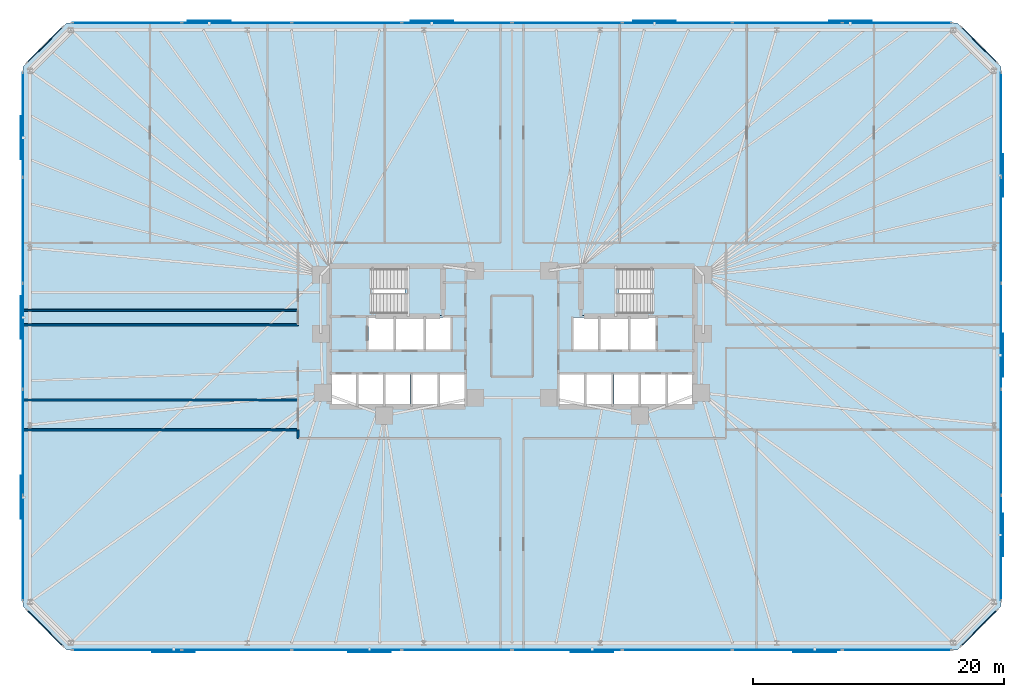
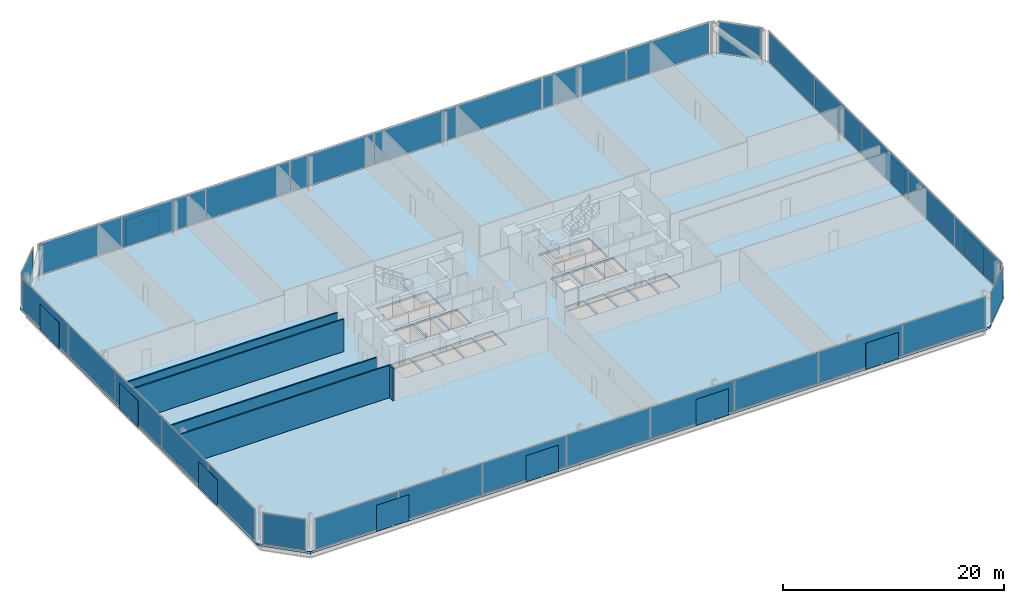
# One storey, part 11 of 16: 44 plates, 5 walls, 3 slabs, 10 elements without a shape of their own.
"""IFC4 building model written with IfcOpenShell, lengths in metres."""

from ifc_helpers import new_model, si_unit, direction, frame, frame_2d, origin, origin_2d, place, context, subcontext, project, spatial, polyline, rectangle, outline, extrude, material, layer, layer_set, type_object, element, aggregate, save


model = new_model("IFC4")

# Units and contexts
model_context = context("Model", 3, precision=1e-05, world=origin(), true_north=direction((0.0, 1.0)))
body_context = subcontext(model_context, "Body", "Model", "MODEL_VIEW")
ifc_project = project(units=[si_unit("LENGTHUNIT", "METRE"), si_unit("AREAUNIT", "SQUARE_METRE"), si_unit("VOLUMEUNIT", "CUBIC_METRE"), si_unit("PLANEANGLEUNIT", "RADIAN"), si_unit("MASSUNIT", "GRAM", prefix="KILO")], contexts=[model_context])

# Site, building, storey
site_placement = place(None, origin())
site = spatial("IfcSite", under=ifc_project, at=site_placement, CompositionType="ELEMENT")
building_placement = place(site_placement, origin())
building = spatial("IfcBuilding", under=site, at=building_placement, Name="Menara Jurai Vektor", CompositionType="ELEMENT")
storey_placement = place(building_placement, frame((0.0, 0.0, 59.800048828125)))
storey = spatial("IfcBuildingStorey", under=building, at=storey_placement, Name="L14", CompositionType="ELEMENT", Elevation=59.800048828125)

# Curtain wall, plates
ifc_material_1 = material(Name="Anodised Pale Aluminium & Low-E Double Glazing", Category="aluminium")
curtain_wall_type = type_object("IfcCurtainWallType", Name="CW-BLK1", PredefinedType="NOTDEFINED", material=ifc_material_1)
curtain_wall_1_placement = place(storey_placement, origin())
curtain_wall_1 = element("IfcCurtainWall", 1, at=curtain_wall_1_placement, inside=storey, type_object=curtain_wall_type, Name="Unitised Curtain Wall L14 F01", PredefinedType="NOTDEFINED")
ifc_material_2 = material(Name="Low-E Solar-Control Double Glazed Unit", Category="glass")
ifc_layer_1 = layer(ifc_material_2, 0.035888671875)
ifc_layer_set_1 = layer_set([ifc_layer_1], Name="Low-E Solar-Control Double Glazed Unit")
plate_type_1 = type_object("IfcPlateType", Name="CW-BLK1-PNL", PredefinedType="CURTAIN_PANEL", material=ifc_layer_set_1)
plate_1_placement = place(storey_placement, frame((-30.706298828125, -25.0, 0.0947265625), z_axis=(0.0, 0.0, 1.0), x_axis=(1.0, 0.0, 0.0)))
plate_1 = element("IfcPlate", 2, at=plate_1_placement, type_object=plate_type_1, Name="CW-01 panel 1.1", PredefinedType="CURTAIN_PANEL", context=body_context, shape_type="SweptSolid", body=[
    extrude(rectangle(XDim=8.637451171875, YDim=0.035888671875, at=origin_2d()), origin(), (0.0, 0.0, 1.0), 3.385009765625),
])
plate_2_placement = place(storey_placement, frame((-21.949951171875, -25.0, 0.0947265625), z_axis=(0.0, 0.0, 1.0), x_axis=(1.0, 0.0, 0.0)))
plate_2 = element("IfcPlate", 3, at=plate_2_placement, type_object=plate_type_1, Name="CW-01 panel 2.1", PredefinedType="CURTAIN_PANEL", context=body_context, shape_type="SweptSolid", body=[
    extrude(rectangle(XDim=8.68505859375, YDim=0.035888671875, at=origin_2d()), origin(), (0.0, 0.0, 1.0), 3.385009765625),
])
plate_3_placement = place(storey_placement, frame((-13.169921875, -25.0, 0.0947265625), z_axis=(0.0, 0.0, 1.0), x_axis=(1.0, 0.0, 0.0)))
plate_3 = element("IfcPlate", 4, at=plate_3_placement, type_object=plate_type_1, Name="CW-01 panel 3.1", PredefinedType="CURTAIN_PANEL", context=body_context, shape_type="SweptSolid", body=[
    extrude(rectangle(XDim=8.68505859375, YDim=0.035888671875, at=origin_2d()), origin(), (0.0, 0.0, 1.0), 3.385009765625),
])
plate_4_placement = place(storey_placement, frame((-4.389892578125, -25.0, 0.0947265625), z_axis=(0.0, 0.0, 1.0), x_axis=(1.0, 0.0, 0.0)))
plate_4 = element("IfcPlate", 5, at=plate_4_placement, type_object=plate_type_1, Name="CW-01 panel 4.1", PredefinedType="CURTAIN_PANEL", context=body_context, shape_type="SweptSolid", body=[
    extrude(rectangle(XDim=8.68505859375, YDim=0.035888671875, at=origin_2d()), origin(), (0.0, 0.0, 1.0), 3.385009765625),
])
plate_5_placement = place(storey_placement, frame((4.389892578125, -25.0, 0.0947265625), z_axis=(0.0, 0.0, 1.0), x_axis=(1.0, 0.0, 0.0)))
plate_5 = element("IfcPlate", 6, at=plate_5_placement, type_object=plate_type_1, Name="CW-01 panel 5.1", PredefinedType="CURTAIN_PANEL", context=body_context, shape_type="SweptSolid", body=[
    extrude(rectangle(XDim=8.68505859375, YDim=0.035888671875, at=origin_2d()), origin(), (0.0, 0.0, 1.0), 3.385009765625),
])
plate_6_placement = place(storey_placement, frame((13.169921875, -25.0, 0.0947265625), z_axis=(0.0, 0.0, 1.0), x_axis=(1.0, 0.0, 0.0)))
plate_6 = element("IfcPlate", 7, at=plate_6_placement, type_object=plate_type_1, Name="CW-01 panel 6.1", PredefinedType="CURTAIN_PANEL", context=body_context, shape_type="SweptSolid", body=[
    extrude(rectangle(XDim=8.68505859375, YDim=0.035888671875, at=origin_2d()), origin(), (0.0, 0.0, 1.0), 3.385009765625),
])
plate_7_placement = place(storey_placement, frame((21.949951171875, -25.0, 0.0947265625), z_axis=(0.0, 0.0, 1.0), x_axis=(1.0, 0.0, 0.0)))
plate_7 = element("IfcPlate", 8, at=plate_7_placement, type_object=plate_type_1, Name="CW-01 panel 7.1", PredefinedType="CURTAIN_PANEL", context=body_context, shape_type="SweptSolid", body=[
    extrude(rectangle(XDim=8.68505859375, YDim=0.035888671875, at=origin_2d()), origin(), (0.0, 0.0, 1.0), 3.385009765625),
])
plate_8_placement = place(storey_placement, frame((30.706298828125, -25.0, 0.0947265625), z_axis=(0.0, 0.0, 1.0), x_axis=(1.0, 0.0, 0.0)))
plate_8 = element("IfcPlate", 9, at=plate_8_placement, type_object=plate_type_1, Name="CW-01 panel 8.1", PredefinedType="CURTAIN_PANEL", context=body_context, shape_type="SweptSolid", body=[
    extrude(rectangle(XDim=8.637451171875, YDim=0.035888671875, at=origin_2d()), origin(), (0.0, 0.0, 1.0), 3.385009765625),
])
aggregate(curtain_wall_1, [plate_1, plate_2, plate_3, plate_4, plate_5, plate_6, plate_7, plate_8])

curtain_wall_2_placement = place(storey_placement, origin())
curtain_wall_2 = element("IfcCurtainWall", 10, at=curtain_wall_2_placement, inside=storey, type_object=curtain_wall_type, Name="Unitised Curtain Wall L14 F03", PredefinedType="NOTDEFINED")
plate_9_placement = place(storey_placement, frame((39.0, -16.872314453125, 0.0947265625), z_axis=(0.0, 0.0, 1.0), x_axis=(0.0, 1.0, 0.0)))
plate_9 = element("IfcPlate", 11, at=plate_9_placement, type_object=plate_type_1, Name="CW-01 panel 1.1", PredefinedType="CURTAIN_PANEL", context=body_context, shape_type="SweptSolid", body=[
    extrude(rectangle(XDim=8.305419921875, YDim=0.035888671875, at=origin_2d()), origin(), (0.0, 0.0, 1.0), 3.385009765625),
])
plate_10_placement = place(storey_placement, frame((39.0, -8.447998046875, 0.0947265625), z_axis=(0.0, 0.0, 1.0), x_axis=(0.0, 1.0, 0.0)))
plate_10 = element("IfcPlate", 12, at=plate_10_placement, type_object=plate_type_1, Name="CW-01 panel 2.1", PredefinedType="CURTAIN_PANEL", context=body_context, shape_type="SweptSolid", body=[
    extrude(rectangle(XDim=8.35302734375, YDim=0.035888671875, at=origin_2d()), origin(), (0.0, 0.0, 1.0), 3.385009765625),
])
plate_11_placement = place(storey_placement, frame((39.0, 0.0, 0.0947265625), z_axis=(0.0, 0.0, 1.0), x_axis=(0.0, 1.0, 0.0)))
plate_11 = element("IfcPlate", 13, at=plate_11_placement, type_object=plate_type_1, Name="CW-01 panel 3.1", PredefinedType="CURTAIN_PANEL", context=body_context, shape_type="SweptSolid", body=[
    extrude(rectangle(XDim=8.35302734375, YDim=0.035888671875, at=origin_2d()), origin(), (0.0, 0.0, 1.0), 3.385009765625),
])
plate_12_placement = place(storey_placement, frame((39.0, 8.447998046875, 0.0947265625), z_axis=(0.0, 0.0, 1.0), x_axis=(0.0, 1.0, 0.0)))
plate_12 = element("IfcPlate", 14, at=plate_12_placement, type_object=plate_type_1, Name="CW-01 panel 4.1", PredefinedType="CURTAIN_PANEL", context=body_context, shape_type="SweptSolid", body=[
    extrude(rectangle(XDim=8.35302734375, YDim=0.035888671875, at=origin_2d()), origin(), (0.0, 0.0, 1.0), 3.385009765625),
])
plate_13_placement = place(storey_placement, frame((39.0, 16.872314453125, 0.0947265625), z_axis=(0.0, 0.0, 1.0), x_axis=(0.0, 1.0, 0.0)))
plate_13 = element("IfcPlate", 15, at=plate_13_placement, type_object=plate_type_1, Name="CW-01 panel 5.1", PredefinedType="CURTAIN_PANEL", context=body_context, shape_type="SweptSolid", body=[
    extrude(rectangle(XDim=8.305419921875, YDim=0.035888671875, at=origin_2d()), origin(), (0.0, 0.0, 1.0), 3.385009765625),
])
aggregate(curtain_wall_2, [plate_9, plate_10, plate_11, plate_12, plate_13])

curtain_wall_3_placement = place(storey_placement, origin())
curtain_wall_3 = element("IfcCurtainWall", 16, at=curtain_wall_3_placement, inside=storey, type_object=curtain_wall_type, Name="Unitised Curtain Wall L14 F05", PredefinedType="NOTDEFINED")
plate_14_placement = place(storey_placement, frame((30.706298828125, 25.0, 0.0947265625), z_axis=(0.0, 0.0, 1.0), x_axis=(-1.0, 0.0, 0.0)))
plate_14 = element("IfcPlate", 17, at=plate_14_placement, type_object=plate_type_1, Name="CW-01 panel 1.1", PredefinedType="CURTAIN_PANEL", context=body_context, shape_type="SweptSolid", body=[
    extrude(rectangle(XDim=8.637451171875, YDim=0.035888671875, at=origin_2d()), origin(), (0.0, 0.0, 1.0), 3.385009765625),
])
plate_15_placement = place(storey_placement, frame((21.949951171875, 25.0, 0.0947265625), z_axis=(0.0, 0.0, 1.0), x_axis=(-1.0, 0.0, 0.0)))
plate_15 = element("IfcPlate", 18, at=plate_15_placement, type_object=plate_type_1, Name="CW-01 panel 2.1", PredefinedType="CURTAIN_PANEL", context=body_context, shape_type="SweptSolid", body=[
    extrude(rectangle(XDim=8.68505859375, YDim=0.035888671875, at=origin_2d()), origin(), (0.0, 0.0, 1.0), 3.385009765625),
])
plate_16_placement = place(storey_placement, frame((13.169921875, 25.0, 0.0947265625), z_axis=(0.0, 0.0, 1.0), x_axis=(-1.0, 0.0, 0.0)))
plate_16 = element("IfcPlate", 19, at=plate_16_placement, type_object=plate_type_1, Name="CW-01 panel 3.1", PredefinedType="CURTAIN_PANEL", context=body_context, shape_type="SweptSolid", body=[
    extrude(rectangle(XDim=8.68505859375, YDim=0.035888671875, at=origin_2d()), origin(), (0.0, 0.0, 1.0), 3.385009765625),
])
plate_17_placement = place(storey_placement, frame((4.389892578125, 25.0, 0.0947265625), z_axis=(0.0, 0.0, 1.0), x_axis=(-1.0, 0.0, 0.0)))
plate_17 = element("IfcPlate", 20, at=plate_17_placement, type_object=plate_type_1, Name="CW-01 panel 4.1", PredefinedType="CURTAIN_PANEL", context=body_context, shape_type="SweptSolid", body=[
    extrude(rectangle(XDim=8.68505859375, YDim=0.035888671875, at=origin_2d()), origin(), (0.0, 0.0, 1.0), 3.385009765625),
])
plate_18_placement = place(storey_placement, frame((-4.389892578125, 25.0, 0.0947265625), z_axis=(0.0, 0.0, 1.0), x_axis=(-1.0, 0.0, 0.0)))
plate_18 = element("IfcPlate", 21, at=plate_18_placement, type_object=plate_type_1, Name="CW-01 panel 5.1", PredefinedType="CURTAIN_PANEL", context=body_context, shape_type="SweptSolid", body=[
    extrude(rectangle(XDim=8.68505859375, YDim=0.035888671875, at=origin_2d()), origin(), (0.0, 0.0, 1.0), 3.385009765625),
])
plate_19_placement = place(storey_placement, frame((-13.169921875, 25.0, 0.0947265625), z_axis=(0.0, 0.0, 1.0), x_axis=(-1.0, 0.0, 0.0)))
plate_19 = element("IfcPlate", 22, at=plate_19_placement, type_object=plate_type_1, Name="CW-01 panel 6.1", PredefinedType="CURTAIN_PANEL", context=body_context, shape_type="SweptSolid", body=[
    extrude(rectangle(XDim=8.68505859375, YDim=0.035888671875, at=origin_2d()), origin(), (0.0, 0.0, 1.0), 3.385009765625),
])
plate_20_placement = place(storey_placement, frame((-21.949951171875, 25.0, 0.0947265625), z_axis=(0.0, 0.0, 1.0), x_axis=(-1.0, 0.0, 0.0)))
plate_20 = element("IfcPlate", 23, at=plate_20_placement, type_object=plate_type_1, Name="CW-01 panel 7.1", PredefinedType="CURTAIN_PANEL", context=body_context, shape_type="SweptSolid", body=[
    extrude(rectangle(XDim=8.68505859375, YDim=0.035888671875, at=origin_2d()), origin(), (0.0, 0.0, 1.0), 3.385009765625),
])
plate_21_placement = place(storey_placement, frame((-30.706298828125, 25.0, 0.0947265625), z_axis=(0.0, 0.0, 1.0), x_axis=(-1.0, 0.0, 0.0)))
plate_21 = element("IfcPlate", 24, at=plate_21_placement, type_object=plate_type_1, Name="CW-01 panel 8.1", PredefinedType="CURTAIN_PANEL", context=body_context, shape_type="SweptSolid", body=[
    extrude(rectangle(XDim=8.637451171875, YDim=0.035888671875, at=origin_2d()), origin(), (0.0, 0.0, 1.0), 3.385009765625),
])
aggregate(curtain_wall_3, [plate_14, plate_15, plate_16, plate_17, plate_18, plate_19, plate_20, plate_21])

curtain_wall_4_placement = place(storey_placement, origin())
curtain_wall_4 = element("IfcCurtainWall", 25, at=curtain_wall_4_placement, inside=storey, type_object=curtain_wall_type, Name="Unitised Curtain Wall L14 F07", PredefinedType="NOTDEFINED")
plate_22_placement = place(storey_placement, frame((-39.0, 16.872314453125, 0.0947265625), z_axis=(0.0, 0.0, 1.0), x_axis=(0.0, -1.0, 0.0)))
plate_22 = element("IfcPlate", 26, at=plate_22_placement, type_object=plate_type_1, Name="CW-01 panel 1.1", PredefinedType="CURTAIN_PANEL", context=body_context, shape_type="SweptSolid", body=[
    extrude(rectangle(XDim=8.305419921875, YDim=0.035888671875, at=origin_2d()), origin(), (0.0, 0.0, 1.0), 3.385009765625),
])
plate_23_placement = place(storey_placement, frame((-39.0, 8.447998046875, 0.0947265625), z_axis=(0.0, 0.0, 1.0), x_axis=(0.0, -1.0, 0.0)))
plate_23 = element("IfcPlate", 27, at=plate_23_placement, type_object=plate_type_1, Name="CW-01 panel 2.1", PredefinedType="CURTAIN_PANEL", context=body_context, shape_type="SweptSolid", body=[
    extrude(rectangle(XDim=8.35302734375, YDim=0.035888671875, at=origin_2d()), origin(), (0.0, 0.0, 1.0), 3.385009765625),
])
plate_24_placement = place(storey_placement, frame((-39.0, 0.0, 0.0947265625), z_axis=(0.0, 0.0, 1.0), x_axis=(0.0, -1.0, 0.0)))
plate_24 = element("IfcPlate", 28, at=plate_24_placement, type_object=plate_type_1, Name="CW-01 panel 3.1", PredefinedType="CURTAIN_PANEL", context=body_context, shape_type="SweptSolid", body=[
    extrude(rectangle(XDim=8.35302734375, YDim=0.035888671875, at=origin_2d()), origin(), (0.0, 0.0, 1.0), 3.385009765625),
])
plate_25_placement = place(storey_placement, frame((-39.0, -8.447998046875, 0.0947265625), z_axis=(0.0, 0.0, 1.0), x_axis=(0.0, -1.0, 0.0)))
plate_25 = element("IfcPlate", 29, at=plate_25_placement, type_object=plate_type_1, Name="CW-01 panel 4.1", PredefinedType="CURTAIN_PANEL", context=body_context, shape_type="SweptSolid", body=[
    extrude(rectangle(XDim=8.35302734375, YDim=0.035888671875, at=origin_2d()), origin(), (0.0, 0.0, 1.0), 3.385009765625),
])
plate_26_placement = place(storey_placement, frame((-39.0, -16.872314453125, 0.0947265625), z_axis=(0.0, 0.0, 1.0), x_axis=(0.0, -1.0, 0.0)))
plate_26 = element("IfcPlate", 30, at=plate_26_placement, type_object=plate_type_1, Name="CW-01 panel 5.1", PredefinedType="CURTAIN_PANEL", context=body_context, shape_type="SweptSolid", body=[
    extrude(rectangle(XDim=8.305419921875, YDim=0.035888671875, at=origin_2d()), origin(), (0.0, 0.0, 1.0), 3.385009765625),
])
aggregate(curtain_wall_4, [plate_22, plate_23, plate_24, plate_25, plate_26])

# Curtain wall, plate
curtain_wall_5_placement = place(storey_placement, origin())
curtain_wall_5 = element("IfcCurtainWall", 31, at=curtain_wall_5_placement, inside=storey, type_object=curtain_wall_type, Name="Unitised Curtain Wall L14 F02", PredefinedType="NOTDEFINED")
ifc_material_3 = material(Name="Insulated Pale Aluminium Spandrel Panel", Category="aluminium")
ifc_layer_2 = layer(ifc_material_3, 0.06005859375)
ifc_layer_set_2 = layer_set([ifc_layer_2], Name="Insulated Pale Aluminium Spandrel Panel")
plate_type_2 = type_object("IfcPlateType", Name="CW-PNL-SP", PredefinedType="CURTAIN_PANEL", material=ifc_layer_set_2)
plate_27_placement = place(storey_placement, frame((37.25, -23.25, 0.0947265625), z_axis=(0.0, 0.0, 1.0), x_axis=(0.707106781187, 0.707106781187, 0.0)))
plate_27 = element("IfcPlate", 32, at=plate_27_placement, type_object=plate_type_2, Name="CW-01 panel 1.1", PredefinedType="CURTAIN_PANEL", context=body_context, shape_type="SweptSolid", body=[
    extrude(rectangle(XDim=3.999755859375, YDim=0.06005859375, at=origin_2d()), origin(), (0.0, 0.0, 1.0), 3.385009765625),
])
aggregate(curtain_wall_5, [plate_27])

curtain_wall_6_placement = place(storey_placement, origin())
curtain_wall_6 = element("IfcCurtainWall", 33, at=curtain_wall_6_placement, inside=storey, type_object=curtain_wall_type, Name="Unitised Curtain Wall L14 F04", PredefinedType="NOTDEFINED")
plate_28_placement = place(storey_placement, frame((37.25, 23.25, 0.0947265625), z_axis=(0.0, 0.0, 1.0), x_axis=(-0.707106781187, 0.707106781187, 0.0)))
plate_28 = element("IfcPlate", 34, at=plate_28_placement, type_object=plate_type_2, Name="CW-01 panel 1.1", PredefinedType="CURTAIN_PANEL", context=body_context, shape_type="SweptSolid", body=[
    extrude(rectangle(XDim=3.999755859375, YDim=0.06005859375, at=origin_2d()), origin(), (0.0, 0.0, 1.0), 3.385009765625),
])
aggregate(curtain_wall_6, [plate_28])

curtain_wall_7_placement = place(storey_placement, origin())
curtain_wall_7 = element("IfcCurtainWall", 35, at=curtain_wall_7_placement, inside=storey, type_object=curtain_wall_type, Name="Unitised Curtain Wall L14 F06", PredefinedType="NOTDEFINED")
plate_29_placement = place(storey_placement, frame((-37.25, 23.25, 0.0947265625), z_axis=(0.0, 0.0, 1.0), x_axis=(-0.707106781187, -0.707106781187, 0.0)))
plate_29 = element("IfcPlate", 36, at=plate_29_placement, type_object=plate_type_2, Name="CW-01 panel 1.1", PredefinedType="CURTAIN_PANEL", context=body_context, shape_type="SweptSolid", body=[
    extrude(rectangle(XDim=3.999755859375, YDim=0.06005859375, at=origin_2d()), origin(), (0.0, 0.0, 1.0), 3.385009765625),
])
aggregate(curtain_wall_7, [plate_29])

curtain_wall_8_placement = place(storey_placement, origin())
curtain_wall_8 = element("IfcCurtainWall", 37, at=curtain_wall_8_placement, inside=storey, type_object=curtain_wall_type, Name="Unitised Curtain Wall L14 F08", PredefinedType="NOTDEFINED")
plate_30_placement = place(storey_placement, frame((-37.25, -23.25, 0.0947265625), z_axis=(0.0, 0.0, 1.0), x_axis=(0.707106781187, -0.707106781187, 0.0)))
plate_30 = element("IfcPlate", 38, at=plate_30_placement, type_object=plate_type_2, Name="CW-01 panel 1.1", PredefinedType="CURTAIN_PANEL", context=body_context, shape_type="SweptSolid", body=[
    extrude(rectangle(XDim=3.999755859375, YDim=0.06005859375, at=origin_2d()), origin(), (0.0, 0.0, 1.0), 3.385009765625),
])
aggregate(curtain_wall_8, [plate_30])

# Plates
ifc_material_4 = material(Name="Anodised Pale Aluminium Perforated Screen", Category="aluminium")
ifc_layer_3 = layer(ifc_material_4, 0.02392578125)
ifc_layer_set_3 = layer_set([ifc_layer_3], Name="Anodised Pale Aluminium Perforated Screen")
plate_type_3 = type_object("IfcPlateType", Name="ENV-PLT-SCREEN", PredefinedType="USERDEFINED", material=ifc_layer_set_3)
for number, where, z_axis, x_axis, name in (
    (39, (-26.97998046875, -25.159912109375, -0.050048828125), (0.0, 0.0, 1.0), (1.0, 0.0, 0.0), "Perforated Pale-Metal Solar Screen L14-S01"),
    (40, (-11.360107421875, -25.159912109375, -0.050048828125), (0.0, 0.0, 1.0), (1.0, 0.0, 0.0), "Perforated Pale-Metal Solar Screen L14-S02"),
    (41, (6.389892578125, -25.159912109375, -0.050048828125), (0.0, 0.0, 1.0), (1.0, 0.0, 0.0), "Perforated Pale-Metal Solar Screen L14-S03"),
    (42, (24.139892578125, -25.159912109375, -0.050048828125), (0.0, 0.0, 1.0), (1.0, 0.0, 0.0), "Perforated Pale-Metal Solar Screen L14-S04"),
    (43, (39.159912109375, -15.83837890625, -0.050048828125), (0.0, 0.0, 1.0), (0.0, 1.0, 0.0), "Perforated Pale-Metal Solar Screen L14-S05"),
    (44, (39.159912109375, -1.5048828125, -0.050048828125), (0.0, 0.0, 1.0), (0.0, 1.0, 0.0), "Perforated Pale-Metal Solar Screen L14-S06"),
    (45, (39.159912109375, 12.828369140625, -0.050048828125), (0.0, 0.0, 1.0), (0.0, 1.0, 0.0), "Perforated Pale-Metal Solar Screen L14-S07"),
    (46, (26.97998046875, 25.159912109375, -0.050048828125), (0.0, 0.0, 1.0), (-1.0, 0.0, 0.0), "Perforated Pale-Metal Solar Screen L14-S08"),
    (47, (11.360107421875, 25.159912109375, -0.050048828125), (0.0, 0.0, 1.0), (-1.0, 0.0, 0.0), "Perforated Pale-Metal Solar Screen L14-S09"),
    (48, (-6.389892578125, 25.159912109375, -0.050048828125), (0.0, 0.0, 1.0), (-1.0, 0.0, 0.0), "Perforated Pale-Metal Solar Screen L14-S10"),
    (49, (-24.139892578125, 25.159912109375, -0.050048828125), (0.0, 0.0, 1.0), (-1.0, 0.0, 0.0), "Perforated Pale-Metal Solar Screen L14-S11"),
    (50, (-39.159912109375, 15.83837890625, -0.050048828125), (0.0, 0.0, 1.0), (0.0, -1.0, 0.0), "Perforated Pale-Metal Solar Screen L14-S12"),
    (51, (-39.159912109375, 1.5048828125, -0.050048828125), (0.0, 0.0, 1.0), (0.0, -1.0, 0.0), "Perforated Pale-Metal Solar Screen L14-S13"),
    (52, (-39.159912109375, -12.828369140625, -0.050048828125), (0.0, 0.0, 1.0), (0.0, -1.0, 0.0), "Perforated Pale-Metal Solar Screen L14-S14"),
):
    element("IfcPlate", number, at=place(storey_placement, frame(where, z_axis=z_axis, x_axis=x_axis)), inside=storey, type_object=plate_type_3, Name=name, ObjectType="SCREEN", PredefinedType="USERDEFINED", context=body_context, shape_type="SweptSolid", body=[
        extrude(rectangle(XDim=3.39990234375, YDim=0.02392578125, at=origin_2d()), origin(), (0.0, 0.0, 1.0), 2.89990234375),
    ])

# Stair, slab
ifc_material_5 = material(Name="Concrete C40/50", Category="concrete")
stair_type = type_object("IfcStairType", Name="STAIR-DOGLEG-1500", PredefinedType="HALF_TURN_STAIR", material=ifc_material_5)
stair_1_placement = place(storey_placement, origin())
stair_1 = element("IfcStair", 53, at=stair_1_placement, inside=storey, type_object=stair_type, Name="Protected Exit Stair ST1 L14", PredefinedType="HALF_TURN_STAIR")
ifc_layer_4 = layer(ifc_material_5, 0.199951171875)
ifc_layer_set_4 = layer_set([ifc_layer_4], Name="Concrete C40/50")
slab_type_1 = type_object("IfcSlabType", Name="STAIR-LANDING-200", PredefinedType="LANDING", material=ifc_layer_set_4)
slab_1_placement = place(storey_placement, frame((0.0, 0.0, 1.699951171875)))
slab_1 = element("IfcSlab", 54, at=slab_1_placement, type_object=slab_type_1, Name="ST1 landing 1", PredefinedType="LANDING", context=body_context, shape_type="SweptSolid", body=[
    extrude(outline(polyline([(-8.52001953125, 1.64990234375), (-5.550048828125, 1.64990234375), (-5.550048828125, 5.550048828125), (-8.52001953125, 5.550048828125), (-8.52001953125, 1.64990234375)])), origin(), (0.0, 0.0, 1.0), 0.199951171875),
])
aggregate(stair_1, [slab_1])

stair_2_placement = place(storey_placement, origin())
stair_2 = element("IfcStair", 55, at=stair_2_placement, inside=storey, type_object=stair_type, Name="Protected Exit Stair ST2 L14", PredefinedType="HALF_TURN_STAIR")
slab_2_placement = place(storey_placement, frame((0.0, 0.0, 1.699951171875)))
slab_2 = element("IfcSlab", 56, at=slab_2_placement, type_object=slab_type_1, Name="ST2 landing 1", PredefinedType="LANDING", context=body_context, shape_type="SweptSolid", body=[
    extrude(outline(polyline([(5.550048828125, 1.64990234375), (8.52001953125, 1.64990234375), (8.52001953125, 5.550048828125), (5.550048828125, 5.550048828125), (5.550048828125, 1.64990234375)])), origin(), (0.0, 0.0, 1.0), 0.199951171875),
])
aggregate(stair_2, [slab_2])

# Slab
ifc_layer_5 = layer(ifc_material_5, 0.22509765625)
ifc_layer_set_5 = layer_set([ifc_layer_5], Name="Concrete C40/50")
slab_type_2 = type_object("IfcSlabType", Name="STR-SLAB-TYP200", PredefinedType="FLOOR", material=ifc_layer_set_5)
slab_3_placement = place(storey_placement, frame((0.0, 0.0, -0.22509765625)))
element("IfcSlab", 57, at=slab_3_placement, inside=storey, type_object=slab_type_2, Name="Composite Floor Slab L14", PredefinedType="FLOOR", context=body_context, shape_type="SweptSolid", body=[
    extrude(outline(polyline([(-35.5, -25.0), (35.5, -25.0), (39.0, -21.5), (39.0, 21.5), (35.5, 25.0), (-35.5, 25.0), (-39.0, 21.5), (-39.0, -21.5), (-35.5, -25.0)]), holes=[polyline([(-11.10009765625, 1.89990234375), (-11.10009765625, 5.300048828125), (-5.800048828125, 5.300048828125), (-5.800048828125, 1.89990234375), (-11.10009765625, 1.89990234375)]), polyline([(5.800048828125, 1.89990234375), (5.800048828125, 5.300048828125), (11.10009765625, 5.300048828125), (11.10009765625, 1.89990234375), (5.800048828125, 1.89990234375)]), polyline([(-11.449951171875, -1.050048828125), (-11.449951171875, 1.5), (-9.449951171875, 1.5), (-9.449951171875, -1.050048828125), (-11.449951171875, -1.050048828125)]), polyline([(9.449951171875, -1.050048828125), (9.449951171875, 1.5), (11.449951171875, 1.5), (11.449951171875, -1.050048828125), (9.449951171875, -1.050048828125)]), polyline([(-5.760009765625, -5.5), (-5.760009765625, -3.050048828125), (-3.800048828125, -3.050048828125), (-3.800048828125, -5.5), (-5.760009765625, -5.5)]), polyline([(-6.85009765625, -1.050048828125), (-6.85009765625, 1.5), (-4.889892578125, 1.5), (-4.889892578125, -1.050048828125), (-6.85009765625, -1.050048828125)]), polyline([(3.800048828125, -5.5), (3.800048828125, -3.050048828125), (5.760009765625, -3.050048828125), (5.760009765625, -5.5), (3.800048828125, -5.5)]), polyline([(4.889892578125, -1.050048828125), (4.889892578125, 1.5), (6.85009765625, 1.5), (6.85009765625, -1.050048828125), (4.889892578125, -1.050048828125)]), polyline([(-14.39990234375, -5.5), (-14.39990234375, -3.050048828125), (-12.43994140625, -3.050048828125), (-12.43994140625, -5.5), (-14.39990234375, -5.5)]), polyline([(-12.239990234375, -5.5), (-12.239990234375, -3.050048828125), (-10.280029296875, -3.050048828125), (-10.280029296875, -5.5), (-12.239990234375, -5.5)]), polyline([(10.280029296875, -5.5), (10.280029296875, -3.050048828125), (12.239990234375, -3.050048828125), (12.239990234375, -5.5), (10.280029296875, -5.5)]), polyline([(12.43994140625, -5.5), (12.43994140625, -3.050048828125), (14.39990234375, -3.050048828125), (14.39990234375, -5.5), (12.43994140625, -5.5)]), polyline([(-10.080078125, -5.5), (-10.080078125, -3.050048828125), (-8.1201171875, -3.050048828125), (-8.1201171875, -5.5), (-10.080078125, -5.5)]), polyline([(-7.919921875, -5.5), (-7.919921875, -3.050048828125), (-5.9599609375, -3.050048828125), (-5.9599609375, -5.5), (-7.919921875, -5.5)]), polyline([(5.9599609375, -5.5), (5.9599609375, -3.050048828125), (7.919921875, -3.050048828125), (7.919921875, -5.5), (5.9599609375, -5.5)]), polyline([(8.1201171875, -5.5), (8.1201171875, -3.050048828125), (10.080078125, -3.050048828125), (10.080078125, -5.5), (8.1201171875, -5.5)]), polyline([(-9.25, -1.050048828125), (-9.25, 1.5), (-7.050048828125, 1.5), (-7.050048828125, -1.050048828125), (-9.25, -1.050048828125)]), polyline([(7.050048828125, -1.050048828125), (7.050048828125, 1.5), (9.25, 1.5), (9.25, -1.050048828125), (7.050048828125, -1.050048828125)])]), origin(), (0.0, 0.0, 1.0), 0.22509765625),
])

# Walls
ifc_material_6 = material(Name="Gypsum Fireboard Partition", Category="gypsum")
ifc_layer_6 = layer(ifc_material_6, 0.14990234375)
ifc_layer_set_6 = layer_set([ifc_layer_6], Name="Gypsum Fireboard Partition")
wall_type_1 = type_object("IfcWallType", Name="INT-WALL-CORR-150", PredefinedType="PARTITIONING", material=ifc_layer_set_6)
wall_1_placement = place(storey_placement, frame((-17.05908203125, -8.1298828125, 0.0), z_axis=(0.0, 0.0, 1.0), x_axis=(0.0, 1.0, 0.0)))
element("IfcWall", 58, at=wall_1_placement, inside=storey, type_object=wall_type_1, Name="Interior Wall IW-150 L14", PredefinedType="PARTITIONING", context=body_context, shape_type="SweptSolid", body=[
    extrude(rectangle(XDim=0.679931640625, YDim=0.14990234375, at=frame_2d((0.33984375, 0.0))), origin(), (0.0, 0.0, 1.0), 3.574951171875),
])
for number, where, z_axis, x_axis, name in (
    (59, (-39.0, 0.919921875, 0.0), (0.0, 0.0, 1.0), (1.0, 0.0, 0.0), "Interior Wall IW-150 L14"),
    (60, (-39.0, -7.449951171875, 0.0), (0.0, 0.0, 1.0), (1.0, 0.0, 0.0), "Interior Wall IW-150 L14"),
    (61, (-39.0, 2.0859375, 0.0), (0.0, 0.0, 1.0), (1.0, 0.0, 0.0), "Interior Wall IW-150 L14"),
):
    element("IfcWall", number, at=place(storey_placement, frame(where, z_axis=z_axis, x_axis=x_axis)), inside=storey, type_object=wall_type_1, Name=name, PredefinedType="PARTITIONING", context=body_context, shape_type="SweptSolid", body=[
        extrude(rectangle(XDim=21.94091796875, YDim=0.14990234375, at=frame_2d((10.970458984375, 0.0))), origin(), (0.0, 0.0, 1.0), 3.574951171875),
    ])
ifc_layer_7 = layer(ifc_material_6, 0.14990234375)
ifc_layer_set_7 = layer_set([ifc_layer_7], Name="Gypsum Fireboard Partition")
wall_type_2 = type_object("IfcWallType", Name="INT-WALL-CORR-150-H2", PredefinedType="PARTITIONING", material=ifc_layer_set_7)
wall_2_placement = place(storey_placement, frame((-39.0, -5.06591796875, 0.0), z_axis=(0.0, 0.0, 1.0), x_axis=(1.0, 0.0, 0.0)))
element("IfcWall", 62, at=wall_2_placement, inside=storey, type_object=wall_type_2, Name="Interior Wall IW-150 L14", PredefinedType="PARTITIONING", context=body_context, shape_type="SweptSolid", body=[
    extrude(rectangle(XDim=21.94091796875, YDim=0.14990234375, at=frame_2d((10.970458984375, 0.0))), origin(), (0.0, 0.0, 1.0), 2.974853515625),
])

save(model, "model.ifc")
